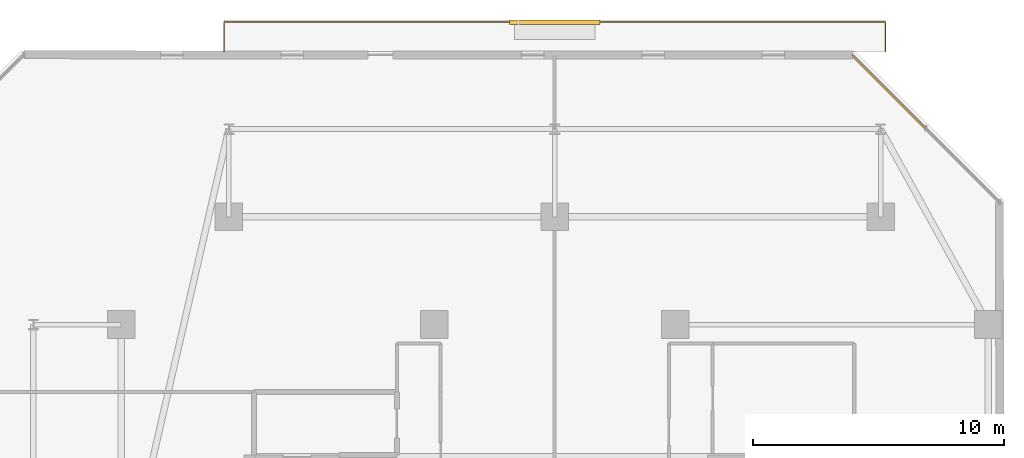
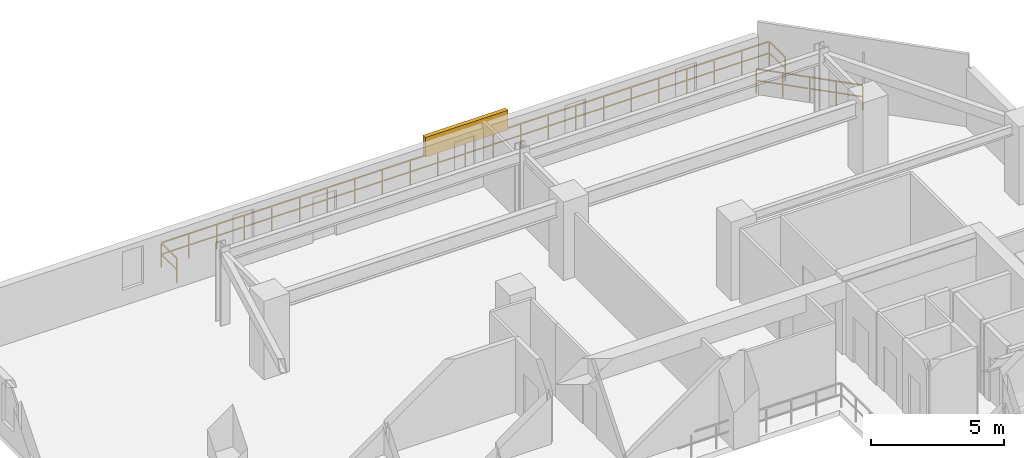
# One storey, part 32 of 32: 2 railings, 1 shading device.
"""IFC4 building model written with IfcOpenShell, lengths in metres."""

from ifc_helpers import new_model, si_unit, direction, frame, origin, origin_2d, place, context, subcontext, project, spatial, rectangle, extrude, material, type_object, element, save


model = new_model("IFC4")

# Units and contexts
model_context = context("Model", 3, precision=1e-05, world=origin(), true_north=direction((0.0, 1.0)))
body_context = subcontext(model_context, "Body", "Model", "MODEL_VIEW")
ifc_project = project(units=[si_unit("LENGTHUNIT", "METRE"), si_unit("AREAUNIT", "SQUARE_METRE"), si_unit("VOLUMEUNIT", "CUBIC_METRE"), si_unit("PLANEANGLEUNIT", "RADIAN"), si_unit("MASSUNIT", "GRAM", prefix="KILO")], contexts=[model_context])

# Site, building, storey
site_placement = place(None, origin())
site = spatial("IfcSite", under=ifc_project, at=site_placement, CompositionType="ELEMENT")
building_placement = place(site_placement, origin())
building = spatial("IfcBuilding", under=site, at=building_placement, Name="Thornwick Lancets Civic Towers", CompositionType="ELEMENT")
storey_placement = place(building_placement, frame((0.0, 0.0, 178.5)))
storey = spatial("IfcBuildingStorey", under=building, at=storey_placement, Name="L47", CompositionType="ELEMENT", Elevation=178.5)

# Railings
ifc_material_1 = material(Name="Terracotta-capped laminated glass balustrade S355", Category="masonry")
railing_type = type_object("IfcRailingType", Name="RAIL_TERR_GUARD", PredefinedType="GUARDRAIL", material=ifc_material_1)
railing_1_placement = place(storey_placement, frame((103.296875, 47.8291015625, 0.0)))
element("IfcRailing", 1, at=railing_1_placement, inside=storey, type_object=railing_type, Name="L47 Tower B Chamfer Spandrel Guard E3-1", PredefinedType="GUARDRAIL", context=body_context, shape_type="SweptSolid", body=[
    extrude(rectangle(XDim=0.048095703125, YDim=0.048095703125, at=origin_2d()), frame((0.0, 0.0, 1.1259765625), z_axis=(-0.707106781187, 0.707106781187, 0.0), x_axis=(-0.707106781187, -0.707106781187, 0.0)), (0.0, 0.0, 1.0), 4.135986328125),
    extrude(rectangle(XDim=0.0419921875, YDim=0.0419921875, at=origin_2d()), frame((-0.026611328125, 0.026611328125, 0.597900390625), z_axis=(-0.707106781187, 0.707106781187, 0.0), x_axis=(-0.707106781187, -0.707106781187, 0.0)), (0.0, 0.0, 1.0), 0.958984375),
    extrude(rectangle(XDim=0.0419921875, YDim=0.0419921875, at=origin_2d()), frame((-0.757568359375, 0.757568359375, 0.597900390625), z_axis=(-0.707106781187, 0.707106781187, 0.0), x_axis=(-0.707106781187, -0.707106781187, 0.0)), (0.0, 0.0, 1.0), 0.958984375),
    extrude(rectangle(XDim=0.0419921875, YDim=0.0419921875, at=origin_2d()), frame((-1.48876953125, 1.48876953125, 0.597900390625), z_axis=(-0.707106781187, 0.707106781187, 0.0), x_axis=(-0.707106781187, -0.707106781187, 0.0)), (0.0, 0.0, 1.0), 0.958984375),
    extrude(rectangle(XDim=0.0419921875, YDim=0.0419921875, at=origin_2d()), frame((-2.219970703125, 2.219970703125, 0.597900390625), z_axis=(-0.707106781187, 0.707106781187, 0.0), x_axis=(-0.707106781187, -0.707106781187, 0.0)), (0.0, 0.0, 1.0), 0.958984375),
    extrude(rectangle(XDim=0.0419921875, YDim=0.0419921875, at=origin_2d()), origin(), (0.0, 0.0, 1.0), 1.095703125),
    extrude(rectangle(XDim=0.0419921875, YDim=0.0419921875, at=origin_2d()), frame((-0.731201171875, 0.731201171875, 0.0)), (0.0, 0.0, 1.0), 1.095703125),
    extrude(rectangle(XDim=0.0419921875, YDim=0.0419921875, at=origin_2d()), frame((-1.46240234375, 1.46240234375, 0.0)), (0.0, 0.0, 1.0), 1.095703125),
    extrude(rectangle(XDim=0.0419921875, YDim=0.0419921875, at=origin_2d()), frame((-2.193359375, 2.193359375, 0.0)), (0.0, 0.0, 1.0), 1.095703125),
    extrude(rectangle(XDim=0.0419921875, YDim=0.0419921875, at=origin_2d()), frame((-2.924560546875, 2.924560546875, 0.0)), (0.0, 0.0, 1.0), 1.095703125),
])
railing_2_placement = place(storey_placement, frame((75.300048828125, 50.89990234375, 0.0)))
element("IfcRailing", 2, at=railing_2_placement, inside=storey, type_object=railing_type, Name="L47 Tower B Balcony Guard N", PredefinedType="GUARDRAIL", context=body_context, shape_type="SweptSolid", body=[
    extrude(rectangle(XDim=0.048095703125, YDim=0.048095703125, at=origin_2d()), frame((0.0, 0.0, 1.1259765625), z_axis=(0.0, 1.0, 0.0), x_axis=(-1.0, 0.0, 0.0)), (0.0, 0.0, 1.0), 1.138916015625),
    extrude(rectangle(XDim=0.0419921875, YDim=0.0419921875, at=origin_2d()), frame((0.0, 0.03759765625, 0.597900390625), z_axis=(0.0, 1.0, 0.0), x_axis=(-1.0, 0.0, 0.0)), (0.0, 0.0, 1.0), 1.09521484375),
    extrude(rectangle(XDim=0.048095703125, YDim=0.048095703125, at=origin_2d()), frame((0.03125, 1.170166015625, 1.1259765625), z_axis=(1.0, 0.0, 0.0), x_axis=(0.0, 1.0, 0.0)), (0.0, 0.0, 1.0), 26.33740234375),
    extrude(rectangle(XDim=0.0419921875, YDim=0.0419921875, at=origin_2d()), frame((0.03759765625, 1.170166015625, 0.597900390625), z_axis=(1.0, 0.0, 0.0), x_axis=(0.0, 1.0, 0.0)), (0.0, 0.0, 1.0), 1.125),
    extrude(rectangle(XDim=0.0419921875, YDim=0.0419921875, at=origin_2d()), frame((1.237548828125, 1.170166015625, 0.597900390625), z_axis=(1.0, 0.0, 0.0), x_axis=(0.0, 1.0, 0.0)), (0.0, 0.0, 1.0), 1.125),
    extrude(rectangle(XDim=0.0419921875, YDim=0.0419921875, at=origin_2d()), frame((2.4375, 1.170166015625, 0.597900390625), z_axis=(1.0, 0.0, 0.0), x_axis=(0.0, 1.0, 0.0)), (0.0, 0.0, 1.0), 1.125),
    extrude(rectangle(XDim=0.0419921875, YDim=0.0419921875, at=origin_2d()), frame((3.637451171875, 1.170166015625, 0.597900390625), z_axis=(1.0, 0.0, 0.0), x_axis=(0.0, 1.0, 0.0)), (0.0, 0.0, 1.0), 1.125),
    extrude(rectangle(XDim=0.0419921875, YDim=0.0419921875, at=origin_2d()), frame((4.83740234375, 1.170166015625, 0.597900390625), z_axis=(1.0, 0.0, 0.0), x_axis=(0.0, 1.0, 0.0)), (0.0, 0.0, 1.0), 1.125),
    extrude(rectangle(XDim=0.0419921875, YDim=0.0419921875, at=origin_2d()), frame((6.037353515625, 1.170166015625, 0.597900390625), z_axis=(1.0, 0.0, 0.0), x_axis=(0.0, 1.0, 0.0)), (0.0, 0.0, 1.0), 1.125),
    extrude(rectangle(XDim=0.0419921875, YDim=0.0419921875, at=origin_2d()), frame((7.237548828125, 1.170166015625, 0.597900390625), z_axis=(1.0, 0.0, 0.0), x_axis=(0.0, 1.0, 0.0)), (0.0, 0.0, 1.0), 1.125),
    extrude(rectangle(XDim=0.0419921875, YDim=0.0419921875, at=origin_2d()), frame((8.4375, 1.170166015625, 0.597900390625), z_axis=(1.0, 0.0, 0.0), x_axis=(0.0, 1.0, 0.0)), (0.0, 0.0, 1.0), 1.125),
    extrude(rectangle(XDim=0.0419921875, YDim=0.0419921875, at=origin_2d()), frame((9.637451171875, 1.170166015625, 0.597900390625), z_axis=(1.0, 0.0, 0.0), x_axis=(0.0, 1.0, 0.0)), (0.0, 0.0, 1.0), 1.125),
    extrude(rectangle(XDim=0.0419921875, YDim=0.0419921875, at=origin_2d()), frame((10.83740234375, 1.170166015625, 0.597900390625), z_axis=(1.0, 0.0, 0.0), x_axis=(0.0, 1.0, 0.0)), (0.0, 0.0, 1.0), 1.125),
    extrude(rectangle(XDim=0.0419921875, YDim=0.0419921875, at=origin_2d()), frame((12.037353515625, 1.170166015625, 0.597900390625), z_axis=(1.0, 0.0, 0.0), x_axis=(0.0, 1.0, 0.0)), (0.0, 0.0, 1.0), 1.125),
    extrude(rectangle(XDim=0.0419921875, YDim=0.0419921875, at=origin_2d()), frame((13.237548828125, 1.170166015625, 0.597900390625), z_axis=(1.0, 0.0, 0.0), x_axis=(0.0, 1.0, 0.0)), (0.0, 0.0, 1.0), 1.125),
    extrude(rectangle(XDim=0.0419921875, YDim=0.0419921875, at=origin_2d()), frame((14.4375, 1.170166015625, 0.597900390625), z_axis=(1.0, 0.0, 0.0), x_axis=(0.0, 1.0, 0.0)), (0.0, 0.0, 1.0), 1.125),
    extrude(rectangle(XDim=0.0419921875, YDim=0.0419921875, at=origin_2d()), frame((15.637451171875, 1.170166015625, 0.597900390625), z_axis=(1.0, 0.0, 0.0), x_axis=(0.0, 1.0, 0.0)), (0.0, 0.0, 1.0), 1.125),
    extrude(rectangle(XDim=0.0419921875, YDim=0.0419921875, at=origin_2d()), frame((16.83740234375, 1.170166015625, 0.597900390625), z_axis=(1.0, 0.0, 0.0), x_axis=(0.0, 1.0, 0.0)), (0.0, 0.0, 1.0), 1.125),
    extrude(rectangle(XDim=0.0419921875, YDim=0.0419921875, at=origin_2d()), frame((18.037353515625, 1.170166015625, 0.597900390625), z_axis=(1.0, 0.0, 0.0), x_axis=(0.0, 1.0, 0.0)), (0.0, 0.0, 1.0), 1.125),
    extrude(rectangle(XDim=0.0419921875, YDim=0.0419921875, at=origin_2d()), frame((19.2373046875, 1.170166015625, 0.597900390625), z_axis=(1.0, 0.0, 0.0), x_axis=(0.0, 1.0, 0.0)), (0.0, 0.0, 1.0), 1.125),
    extrude(rectangle(XDim=0.0419921875, YDim=0.0419921875, at=origin_2d()), frame((20.4375, 1.170166015625, 0.597900390625), z_axis=(1.0, 0.0, 0.0), x_axis=(0.0, 1.0, 0.0)), (0.0, 0.0, 1.0), 1.125),
    extrude(rectangle(XDim=0.0419921875, YDim=0.0419921875, at=origin_2d()), frame((21.637451171875, 1.170166015625, 0.597900390625), z_axis=(1.0, 0.0, 0.0), x_axis=(0.0, 1.0, 0.0)), (0.0, 0.0, 1.0), 1.125),
    extrude(rectangle(XDim=0.0419921875, YDim=0.0419921875, at=origin_2d()), frame((22.83740234375, 1.170166015625, 0.597900390625), z_axis=(1.0, 0.0, 0.0), x_axis=(0.0, 1.0, 0.0)), (0.0, 0.0, 1.0), 1.125),
    extrude(rectangle(XDim=0.0419921875, YDim=0.0419921875, at=origin_2d()), frame((24.037353515625, 1.170166015625, 0.597900390625), z_axis=(1.0, 0.0, 0.0), x_axis=(0.0, 1.0, 0.0)), (0.0, 0.0, 1.0), 1.125),
    extrude(rectangle(XDim=0.0419921875, YDim=0.0419921875, at=origin_2d()), frame((25.2373046875, 1.170166015625, 0.597900390625), z_axis=(1.0, 0.0, 0.0), x_axis=(0.0, 1.0, 0.0)), (0.0, 0.0, 1.0), 1.125),
    extrude(rectangle(XDim=0.048095703125, YDim=0.048095703125, at=origin_2d()), frame((26.39990234375, 1.138916015625, 1.1259765625), z_axis=(0.0, -1.0, 0.0), x_axis=(1.0, 0.0, 0.0)), (0.0, 0.0, 1.0), 1.138916015625),
    extrude(rectangle(XDim=0.0419921875, YDim=0.0419921875, at=origin_2d()), frame((26.39990234375, 1.132568359375, 0.597900390625), z_axis=(0.0, -1.0, 0.0), x_axis=(1.0, 0.0, 0.0)), (0.0, 0.0, 1.0), 1.09521484375),
    extrude(rectangle(XDim=0.0419921875, YDim=0.0419921875, at=origin_2d()), origin(), (0.0, 0.0, 1.0), 1.095703125),
    extrude(rectangle(XDim=0.0419921875, YDim=0.0419921875, at=origin_2d()), frame((0.0, 1.170166015625, 0.0)), (0.0, 0.0, 1.0), 1.095703125),
    extrude(rectangle(XDim=0.0419921875, YDim=0.0419921875, at=origin_2d()), frame((1.199951171875, 1.170166015625, 0.0)), (0.0, 0.0, 1.0), 1.095703125),
    extrude(rectangle(XDim=0.0419921875, YDim=0.0419921875, at=origin_2d()), frame((2.39990234375, 1.170166015625, 0.0)), (0.0, 0.0, 1.0), 1.095703125),
    extrude(rectangle(XDim=0.0419921875, YDim=0.0419921875, at=origin_2d()), frame((3.60009765625, 1.170166015625, 0.0)), (0.0, 0.0, 1.0), 1.095703125),
    extrude(rectangle(XDim=0.0419921875, YDim=0.0419921875, at=origin_2d()), frame((4.800048828125, 1.170166015625, 0.0)), (0.0, 0.0, 1.0), 1.095703125),
    extrude(rectangle(XDim=0.0419921875, YDim=0.0419921875, at=origin_2d()), frame((6.0, 1.170166015625, 0.0)), (0.0, 0.0, 1.0), 1.095703125),
    extrude(rectangle(XDim=0.0419921875, YDim=0.0419921875, at=origin_2d()), frame((7.199951171875, 1.170166015625, 0.0)), (0.0, 0.0, 1.0), 1.095703125),
    extrude(rectangle(XDim=0.0419921875, YDim=0.0419921875, at=origin_2d()), frame((8.39990234375, 1.170166015625, 0.0)), (0.0, 0.0, 1.0), 1.095703125),
    extrude(rectangle(XDim=0.0419921875, YDim=0.0419921875, at=origin_2d()), frame((9.599853515625, 1.170166015625, 0.0)), (0.0, 0.0, 1.0), 1.095703125),
    extrude(rectangle(XDim=0.0419921875, YDim=0.0419921875, at=origin_2d()), frame((10.800048828125, 1.170166015625, 0.0)), (0.0, 0.0, 1.0), 1.095703125),
    extrude(rectangle(XDim=0.0419921875, YDim=0.0419921875, at=origin_2d()), frame((12.0, 1.170166015625, 0.0)), (0.0, 0.0, 1.0), 1.095703125),
    extrude(rectangle(XDim=0.0419921875, YDim=0.0419921875, at=origin_2d()), frame((13.199951171875, 1.170166015625, 0.0)), (0.0, 0.0, 1.0), 1.095703125),
    extrude(rectangle(XDim=0.0419921875, YDim=0.0419921875, at=origin_2d()), frame((14.39990234375, 1.170166015625, 0.0)), (0.0, 0.0, 1.0), 1.095703125),
    extrude(rectangle(XDim=0.0419921875, YDim=0.0419921875, at=origin_2d()), frame((15.599853515625, 1.170166015625, 0.0)), (0.0, 0.0, 1.0), 1.095703125),
    extrude(rectangle(XDim=0.0419921875, YDim=0.0419921875, at=origin_2d()), frame((16.800048828125, 1.170166015625, 0.0)), (0.0, 0.0, 1.0), 1.095703125),
    extrude(rectangle(XDim=0.0419921875, YDim=0.0419921875, at=origin_2d()), frame((18.0, 1.170166015625, 0.0)), (0.0, 0.0, 1.0), 1.095703125),
    extrude(rectangle(XDim=0.0419921875, YDim=0.0419921875, at=origin_2d()), frame((19.199951171875, 1.170166015625, 0.0)), (0.0, 0.0, 1.0), 1.095703125),
    extrude(rectangle(XDim=0.0419921875, YDim=0.0419921875, at=origin_2d()), frame((20.39990234375, 1.170166015625, 0.0)), (0.0, 0.0, 1.0), 1.095703125),
    extrude(rectangle(XDim=0.0419921875, YDim=0.0419921875, at=origin_2d()), frame((21.599853515625, 1.170166015625, 0.0)), (0.0, 0.0, 1.0), 1.095703125),
    extrude(rectangle(XDim=0.0419921875, YDim=0.0419921875, at=origin_2d()), frame((22.7998046875, 1.170166015625, 0.0)), (0.0, 0.0, 1.0), 1.095703125),
    extrude(rectangle(XDim=0.0419921875, YDim=0.0419921875, at=origin_2d()), frame((24.0, 1.170166015625, 0.0)), (0.0, 0.0, 1.0), 1.095703125),
    extrude(rectangle(XDim=0.0419921875, YDim=0.0419921875, at=origin_2d()), frame((25.199951171875, 1.170166015625, 0.0)), (0.0, 0.0, 1.0), 1.095703125),
    extrude(rectangle(XDim=0.0419921875, YDim=0.0419921875, at=origin_2d()), frame((26.39990234375, 1.170166015625, 0.0)), (0.0, 0.0, 1.0), 1.095703125),
    extrude(rectangle(XDim=0.0419921875, YDim=0.0419921875, at=origin_2d()), frame((26.39990234375, 0.0, 0.0)), (0.0, 0.0, 1.0), 1.095703125),
])

# Shading device
ifc_material_2 = material(Name="Extruded terracotta baguette solar screen", Category="masonry")
shading_device_type = type_object("IfcShadingDeviceType", Name="SHADE_BAGUETTE", PredefinedType="JALOUSIE", material=ifc_material_2)
shading_device_placement = place(storey_placement, frame((88.5, 52.06005859375, 1.1201171875), z_axis=(0.0, 0.0, 1.0), x_axis=(1.0, 0.0, 0.0)))
element("IfcShadingDevice", 3, at=shading_device_placement, inside=storey, type_object=shading_device_type, Name="L47 Tower B Terracotta Baguette Screen N", PredefinedType="JALOUSIE", context=body_context, shape_type="SweptSolid", body=[
    extrude(rectangle(XDim=3.60009765625, YDim=0.179931640625, at=origin_2d()), origin(), (0.0, 0.0, 1.0), 0.89990234375),
])

save(model, "model.ifc")
